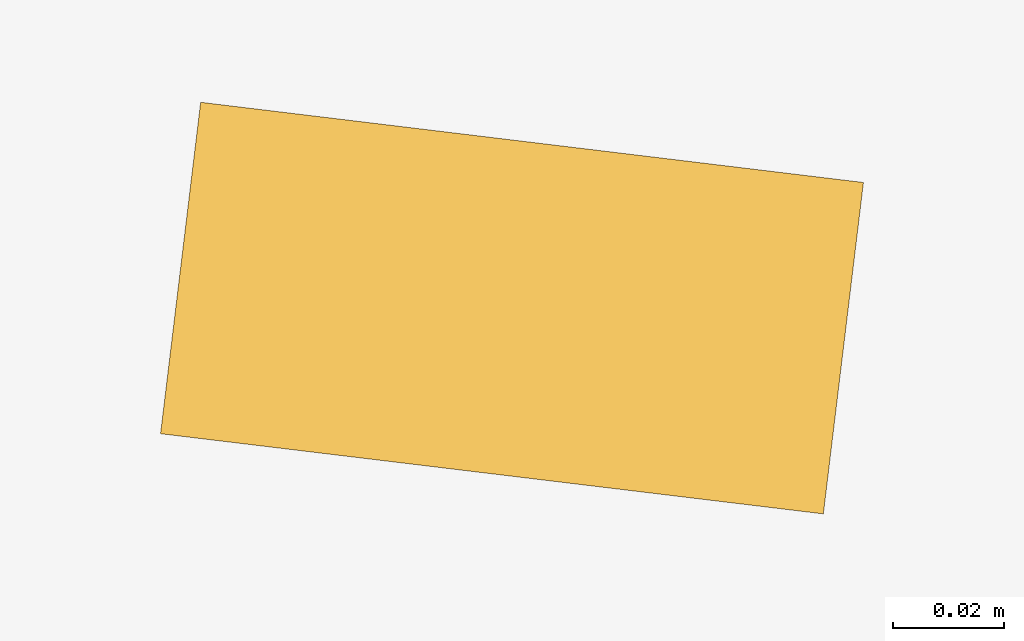
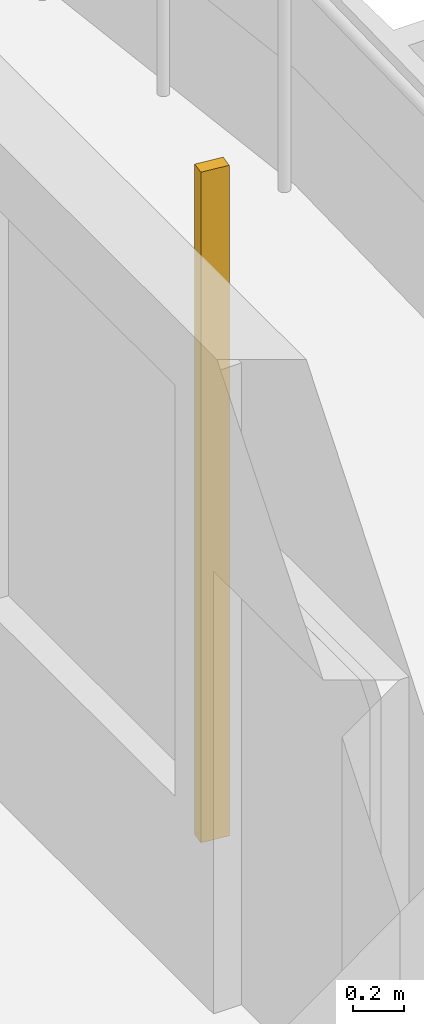
# One storey, part 22 of 24: 1 shading device.
"""IFC4 building model written with IfcOpenShell, lengths in metres."""

from ifc_helpers import new_model, si_unit, direction, frame, origin, origin_2d, place, context, subcontext, project, spatial, rectangle, extrude, source, transform, mapped, material, material_profile, profile_set, type_object, element, save


model = new_model("IFC4")

# Units and contexts
model_context = context("Model", 3, precision=1e-05, world=origin(), true_north=direction((0.0, 1.0)))
body_context = subcontext(model_context, "Body", "Model", "MODEL_VIEW")
ifc_project = project(units=[si_unit("LENGTHUNIT", "METRE"), si_unit("AREAUNIT", "SQUARE_METRE"), si_unit("VOLUMEUNIT", "CUBIC_METRE"), si_unit("PLANEANGLEUNIT", "RADIAN"), si_unit("MASSUNIT", "GRAM", prefix="KILO")], contexts=[model_context])

# Site, building, storey
site_placement = place(None, origin())
site = spatial("IfcSite", under=ifc_project, at=site_placement, CompositionType="ELEMENT")
building_placement = place(site_placement, origin())
building = spatial("IfcBuilding", under=site, at=building_placement, Name="Kilnfold Tower and Market Hall", CompositionType="ELEMENT")
storey_placement = place(building_placement, frame((0.0, 0.0, 175.300048828125)))
storey = spatial("IfcBuildingStorey", under=building, at=storey_placement, Name="L41", CompositionType="ELEMENT", Elevation=175.300048828125)

# Shading device
ifc_material = material(Name="Terracotta", Category="masonry")
ifc_material_profile = material_profile(ifc_material, rectangle(XDim=0.06005859375, YDim=0.1201171875, at=origin_2d()), Name="BAG 60x120")
ifc_profile_set = profile_set([ifc_material_profile], Name="Terracotta")
shading_device_type = type_object("IfcShadingDeviceType", Name="BAGUETTE", PredefinedType="USERDEFINED", material=ifc_profile_set)
shared_shape = source(origin(), body_context, "Body", "SweptSolid", [
    extrude(rectangle(XDim=0.06005859375, YDim=0.1201171875, at=origin_2d()), origin(), (0.0, 0.0, 1.0), 3.179931640625),
])
shading_device_placement = place(storey_placement, frame((25.550048828125, 2.33740234375, 0.0), z_axis=(0.0, 0.0, 1.0), x_axis=(0.120105650384, 0.99276111565, 0.0)))
element("IfcShadingDevice", 1, at=shading_device_placement, inside=storey, type_object=shading_device_type, Name="Terracotta baguette L41 E", ObjectType="BAGUETTE", PredefinedType="USERDEFINED", context=body_context, shape_type="MappedRepresentation", body=[
    mapped(shared_shape, transform((0.0, 0.0, 0.0))),
])

save(model, "model.ifc")
